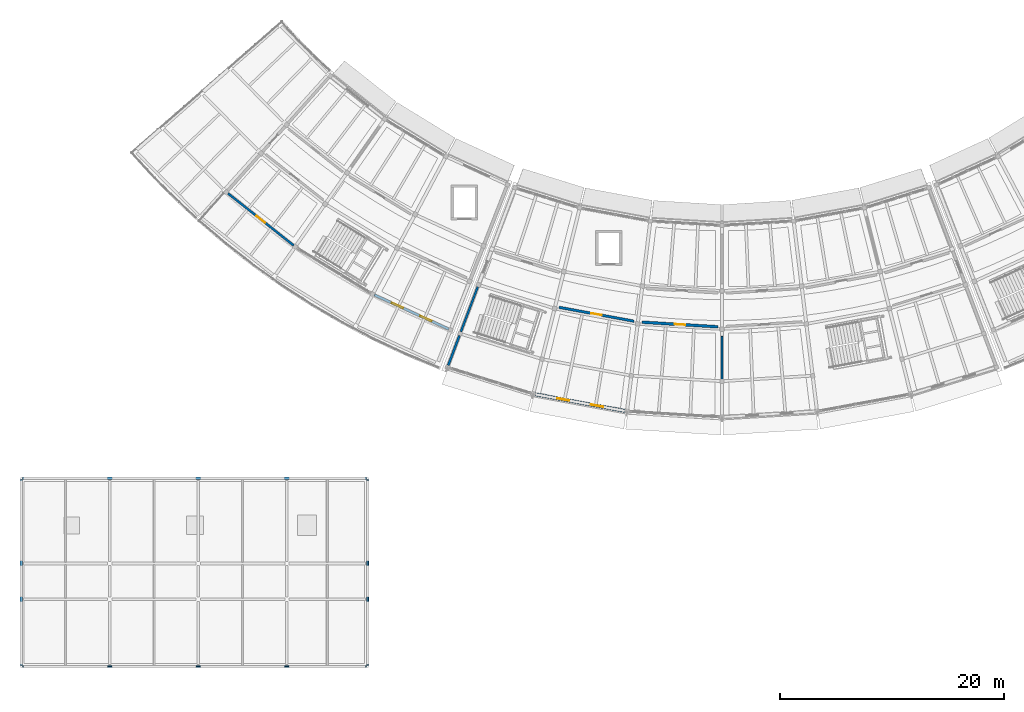
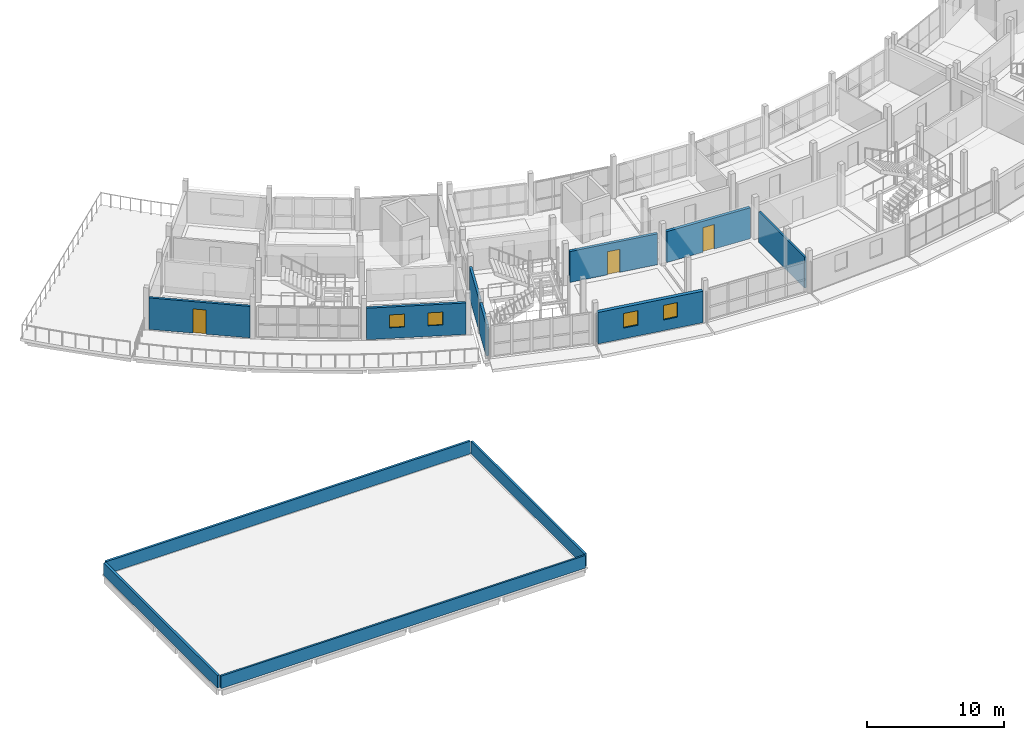
# One storey, part 25 of 36: 12 walls, 4 windows, 3 doors, 7 openings.
"""IFC4 building model written with IfcOpenShell, lengths in metres."""

from ifc_helpers import new_model, si_unit, direction, frame, frame_2d, origin, place, context, subcontext, project, spatial, rectangle, extrude, material, layer, layer_set, type_object, element, fill, save


model = new_model("IFC4")

# Units and contexts
model_context = context("Model", 3, precision=1e-05, world=origin(), true_north=direction((0.0, 1.0)))
body_context = subcontext(model_context, "Body", "Model", "MODEL_VIEW")
ifc_project = project(units=[si_unit("LENGTHUNIT", "METRE"), si_unit("AREAUNIT", "SQUARE_METRE"), si_unit("VOLUMEUNIT", "CUBIC_METRE"), si_unit("PLANEANGLEUNIT", "RADIAN"), si_unit("MASSUNIT", "GRAM", prefix="KILO")], contexts=[model_context])

# Site, building, storey
site_placement = place(None, origin())
site = spatial("IfcSite", under=ifc_project, at=site_placement, CompositionType="ELEMENT")
building_placement = place(site_placement, origin())
building = spatial("IfcBuilding", under=site, at=building_placement, Name="Caldaven Crescent School", CompositionType="ELEMENT")
storey_placement = place(building_placement, frame((0.0, 0.0, 11.89990234375)))
storey = spatial("IfcBuildingStorey", under=building, at=storey_placement, Name="L03", CompositionType="ELEMENT", Elevation=11.89990234375)

# Wall, opening, door
ifc_material_1 = material(Name="Precast concrete C35/45", Category="concrete")
ifc_layer_1 = layer(ifc_material_1, 0.19189453125)
ifc_layer_set_1 = layer_set([ifc_layer_1], Name="Precast concrete C35/45")
wall_type_1 = type_object("IfcWallType", Name="WAL-EW01", PredefinedType="STANDARD", material=ifc_layer_set_1)
wall_1_placement = place(storey_placement, frame((43.948974609375, 46.397216796875, 0.0), z_axis=(0.0, 0.0, 1.0), x_axis=(0.783891257523, -0.620898136879, 0.0)))
wall_1 = element("IfcWall", 1, at=wall_1_placement, inside=storey, type_object=wall_type_1, Name="EW-L03-196", PredefinedType="STANDARD", context=body_context, shape_type="SweptSolid", body=[
    extrude(rectangle(XDim=7.4638671875, YDim=0.19189453125, at=frame_2d((3.73193359375, 0.0))), origin(), (0.0, 0.0, 1.0), 2.800048828125),
])
opening_1_placement = place(wall_1_placement, frame((3.2568359375, 0.0, 0.0)))
opening_1 = element("IfcOpeningElement", 2, at=opening_1_placement, cuts=wall_1, Name="Opening D-L03-E032", PredefinedType="OPENING", context=body_context, shape_type="SweptSolid", body=[
    extrude(rectangle(XDim=0.949951171875, YDim=2.14990234375, at=frame_2d((0.47509765625, 1.074951171875))), frame((0.0, 0.10595703125, 0.0), z_axis=(0.0, -1.0, 0.0), x_axis=(1.0, 0.0, 0.0)), (0.0, 0.0, 1.0), 0.2119140625),
])
ifc_material_2 = material(Name="Thermally broken bronze-anodised aluminium and laminated safety glass", Category="aluminium")
door_type_1 = type_object("IfcDoorType", Name="DOR-EX01", OperationType="NOTDEFINED", PredefinedType="DOOR", material=ifc_material_2)
door_1_placement = place(opening_1_placement, frame((0.949951171875, 0.0, 0.0), z_axis=(0.0, 0.0, 1.0), x_axis=(-1.0, 0.0, 0.0)))
door_1 = element("IfcDoor", 3, at=door_1_placement, inside=storey, type_object=door_type_1, Name="DOR-EXT-L03-032", OperationType="SINGLE_SWING_LEFT", OverallHeight=2.14990234375, OverallWidth=0.949951171875, PredefinedType="DOOR", context=body_context, shape_type="SweptSolid", body=[
    extrude(rectangle(XDim=0.949951171875, YDim=2.14990234375, at=frame_2d((0.47509765625, 1.074951171875))), frame((0.0, 0.02490234375, 0.0), z_axis=(0.0, -1.0, 0.0), x_axis=(1.0, 0.0, 0.0)), (0.0, 0.0, 1.0), 0.050048828125),
])
fill(opening_1, door_1)

# Walls
wall_2_placement = place(storey_placement, frame((66.216064453125, 38.061767578125, 0.0), z_axis=(0.0, 0.0, 1.0), x_axis=(-0.351894221541, -0.936039773111, 0.0)))
element("IfcWall", 4, at=wall_2_placement, inside=storey, type_object=wall_type_1, Name="EW-L03-210", PredefinedType="STANDARD", context=body_context, shape_type="SweptSolid", body=[
    extrude(rectangle(XDim=4.268798828125, YDim=0.19189453125, at=frame_2d((2.13427734375, 0.0))), origin(), (0.0, 0.0, 1.0), 2.800048828125),
])
ifc_layer_2 = layer(ifc_material_1, 0.2041015625)
ifc_layer_set_2 = layer_set([ifc_layer_2], Name="Precast concrete C35/45")
wall_type_2 = type_object("IfcWallType", Name="WAL-EW02", PredefinedType="STANDARD", material=ifc_layer_set_2)
wall_3_placement = place(storey_placement, frame((64.5849609375, 33.723388671875, 0.0), z_axis=(0.0, 0.0, 1.0), x_axis=(-0.351925812761, -0.936027896119, 0.0)))
element("IfcWall", 5, at=wall_3_placement, inside=storey, type_object=wall_type_2, Name="EW-L03-211", PredefinedType="STANDARD", context=body_context, shape_type="SweptSolid", body=[
    extrude(rectangle(XDim=2.833984375, YDim=0.2041015625, at=frame_2d((1.4169921875, 0.0))), origin(), (0.0, 0.0, 1.0), 2.800048828125),
])

# Wall, openings, windows
ifc_layer_3 = layer(ifc_material_1, 0.216064453125)
ifc_layer_set_3 = layer_set([ifc_layer_3], Name="Precast concrete C35/45")
wall_type_3 = type_object("IfcWallType", Name="WAL-EW03", PredefinedType="STANDARD", material=ifc_layer_set_3)
wall_4_placement = place(storey_placement, frame((57.016845703125, 37.340087890625, 0.0), z_axis=(0.0, 0.0, 1.0), x_axis=(0.908522029841, -0.417836955396, 0.0)))
wall_4 = element("IfcWall", 6, at=wall_4_placement, inside=storey, type_object=wall_type_3, Name="EW-L03-198", PredefinedType="STANDARD", context=body_context, shape_type="SweptSolid", body=[
    extrude(rectangle(XDim=7.279052734375, YDim=0.216064453125, at=frame_2d((3.6396484375, 0.0))), origin(), (0.0, 0.0, 1.0), 2.800048828125),
])
opening_2_placement = place(wall_4_placement, frame((1.693115234375, 0.0, 0.949951171875)))
opening_2 = element("IfcOpeningElement", 7, at=opening_2_placement, cuts=wall_4, Name="Opening W01", PredefinedType="OPENING", context=body_context, shape_type="SweptSolid", body=[
    extrude(rectangle(XDim=1.10009765625, YDim=1.14990234375, at=frame_2d((0.550048828125, 0.574951171875))), frame((0.0, 0.117919921875, 0.0), z_axis=(0.0, -1.0, 0.0), x_axis=(1.0, 0.0, 0.0)), (0.0, 0.0, 1.0), 0.236083984375),
])
opening_3_placement = place(wall_4_placement, frame((4.486083984375, 0.0, 0.949951171875)))
opening_3 = element("IfcOpeningElement", 8, at=opening_3_placement, cuts=wall_4, Name="Opening W01", PredefinedType="OPENING", context=body_context, shape_type="SweptSolid", body=[
    extrude(rectangle(XDim=1.10009765625, YDim=1.14990234375, at=frame_2d((0.550048828125, 0.574951171875))), frame((0.0, 0.117919921875, 0.0), z_axis=(0.0, -1.0, 0.0), x_axis=(1.0, 0.0, 0.0)), (0.0, 0.0, 1.0), 0.236083984375),
])
ifc_material_3 = material(Name="Thermally broken anodised aluminium AA 6063-T6 and low-E double glazing", Category="aluminium")
window_type_1 = type_object("IfcWindowType", Name="WIN-W01", PartitioningType="SINGLE_PANEL", PredefinedType="WINDOW", material=ifc_material_3)
window_1_placement = place(opening_2_placement, origin())
window_1 = element("IfcWindow", 9, at=window_1_placement, inside=storey, type_object=window_type_1, Name="WIN-L03-096-1", OverallHeight=1.14990234375, OverallWidth=1.10009765625, PartitioningType="SINGLE_PANEL", PredefinedType="WINDOW", context=body_context, shape_type="SweptSolid", body=[
    extrude(rectangle(XDim=1.10009765625, YDim=1.14990234375, at=frame_2d((0.550048828125, 0.574951171875))), frame((0.0, 0.030029296875, 0.0), z_axis=(0.0, -1.0, 0.0), x_axis=(1.0, 0.0, 0.0)), (0.0, 0.0, 1.0), 0.06005859375),
])
fill(opening_2, window_1)
window_2_placement = place(opening_3_placement, origin())
window_2 = element("IfcWindow", 10, at=window_2_placement, inside=storey, type_object=window_type_1, Name="WIN-L03-096-2", OverallHeight=1.14990234375, OverallWidth=1.10009765625, PartitioningType="SINGLE_PANEL", PredefinedType="WINDOW", context=body_context, shape_type="SweptSolid", body=[
    extrude(rectangle(XDim=1.10009765625, YDim=1.14990234375, at=frame_2d((0.550048828125, 0.574951171875))), frame((0.0, 0.030029296875, 0.0), z_axis=(0.0, -1.0, 0.0), x_axis=(1.0, 0.0, 0.0)), (0.0, 0.0, 1.0), 0.06005859375),
])
fill(opening_3, window_2)

ifc_layer_4 = layer(ifc_material_1, 0.300048828125)
ifc_layer_set_4 = layer_set([ifc_layer_4], Name="Precast concrete C35/45")
wall_type_4 = type_object("IfcWallType", Name="WAL-EW10", PredefinedType="STANDARD", material=ifc_layer_set_4)
wall_5_placement = place(storey_placement, frame((71.354248046875, 28.482666015625, 0.0), z_axis=(0.0, 0.0, 1.0), x_axis=(0.98325170733, -0.182252791562, 0.0)))
wall_5 = element("IfcWall", 11, at=wall_5_placement, inside=storey, type_object=wall_type_4, Name="EW-L03-205", PredefinedType="STANDARD", context=body_context, shape_type="SweptSolid", body=[
    extrude(rectangle(XDim=8.125732421875, YDim=0.300048828125, at=frame_2d((4.06298828125, 0.0))), origin(), (0.0, 0.0, 1.0), 2.800048828125),
])
opening_4_placement = place(wall_5_placement, frame((1.975341796875, 0.0, 0.949951171875)))
opening_4 = element("IfcOpeningElement", 12, at=opening_4_placement, cuts=wall_5, Name="Opening W02", PredefinedType="OPENING", context=body_context, shape_type="SweptSolid", body=[
    extrude(rectangle(XDim=1.10009765625, YDim=1.300048828125, at=frame_2d((0.550048828125, 0.64990234375))), frame((0.0, 0.159912109375, 0.0), z_axis=(0.0, -1.0, 0.0), x_axis=(1.0, 0.0, 0.0)), (0.0, 0.0, 1.0), 0.320068359375),
])
opening_5_placement = place(wall_5_placement, frame((5.050537109375, 0.0, 0.949951171875)))
opening_5 = element("IfcOpeningElement", 13, at=opening_5_placement, cuts=wall_5, Name="Opening W02", PredefinedType="OPENING", context=body_context, shape_type="SweptSolid", body=[
    extrude(rectangle(XDim=1.10009765625, YDim=1.300048828125, at=frame_2d((0.550048828125, 0.64990234375))), frame((0.0, 0.159912109375, 0.0), z_axis=(0.0, -1.0, 0.0), x_axis=(1.0, 0.0, 0.0)), (0.0, 0.0, 1.0), 0.320068359375),
])
window_type_2 = type_object("IfcWindowType", Name="WIN-W02", PartitioningType="SINGLE_PANEL", PredefinedType="WINDOW", material=ifc_material_3)
window_3_placement = place(opening_4_placement, origin())
window_3 = element("IfcWindow", 14, at=window_3_placement, inside=storey, type_object=window_type_2, Name="WIN-L03-097-1", OverallHeight=1.300048828125, OverallWidth=1.10009765625, PartitioningType="SINGLE_PANEL", PredefinedType="WINDOW", context=body_context, shape_type="SweptSolid", body=[
    extrude(rectangle(XDim=1.10009765625, YDim=1.300048828125, at=frame_2d((0.550048828125, 0.64990234375))), frame((0.0, 0.030029296875, 0.0), z_axis=(0.0, -1.0, 0.0), x_axis=(1.0, 0.0, 0.0)), (0.0, 0.0, 1.0), 0.06005859375),
])
fill(opening_4, window_3)
window_4_placement = place(opening_5_placement, origin())
window_4 = element("IfcWindow", 15, at=window_4_placement, inside=storey, type_object=window_type_2, Name="WIN-L03-097-2", OverallHeight=1.300048828125, OverallWidth=1.10009765625, PartitioningType="SINGLE_PANEL", PredefinedType="WINDOW", context=body_context, shape_type="SweptSolid", body=[
    extrude(rectangle(XDim=1.10009765625, YDim=1.300048828125, at=frame_2d((0.550048828125, 0.64990234375))), frame((0.0, 0.030029296875, 0.0), z_axis=(0.0, -1.0, 0.0), x_axis=(1.0, 0.0, 0.0)), (0.0, 0.0, 1.0), 0.06005859375),
])
fill(opening_5, window_4)

# Wall, opening, door
ifc_material_4 = material(Name="Acoustic timber-stud and fire-rated gypsum board assembly", Category="wood")
ifc_layer_5 = layer(ifc_material_4, 0.22998046875)
ifc_layer_set_5 = layer_set([ifc_layer_5], Name="Acoustic timber-stud and fire-rated gypsum board assembly")
wall_type_5 = type_object("IfcWallType", Name="WAL-IW08", PredefinedType="STANDARD", material=ifc_layer_set_5)
wall_6_placement = place(storey_placement, frame((73.470947265625, 36.24169921875, 0.0), z_axis=(0.0, 0.0, 1.0), x_axis=(0.983257442509, -0.182221847619, 0.0)))
wall_6 = element("IfcWall", 16, at=wall_6_placement, inside=storey, type_object=wall_type_5, Name="IW-L03-0263", PredefinedType="STANDARD", context=body_context, shape_type="SweptSolid", body=[
    extrude(rectangle(XDim=6.79150390625, YDim=0.22998046875, at=frame_2d((3.395751953125, 0.0))), origin(), (0.0, 0.0, 1.0), 2.75),
])
opening_6_placement = place(wall_6_placement, frame((2.92578125, 0.0, 0.0)))
opening_6 = element("IfcOpeningElement", 17, at=opening_6_placement, cuts=wall_6, Name="Opening D-L03-I188", PredefinedType="OPENING", context=body_context, shape_type="SweptSolid", body=[
    extrude(rectangle(XDim=0.93994140625, YDim=2.06005859375, at=frame_2d((0.469970703125, 1.030029296875))), frame((0.0, 0.125, 0.0), z_axis=(0.0, -1.0, 0.0), x_axis=(1.0, 0.0, 0.0)), (0.0, 0.0, 1.0), 0.25),
])
ifc_material_5 = material(Name="Solid-core Pino Radiata acoustic timber leaf in steel frame", Category="steel")
door_type_2 = type_object("IfcDoorType", Name="DOR-ID09", OperationType="NOTDEFINED", PredefinedType="DOOR", material=ifc_material_5)
door_2_placement = place(opening_6_placement, origin())
door_2 = element("IfcDoor", 18, at=door_2_placement, inside=storey, type_object=door_type_2, Name="DOR-INT-L03-0188", OperationType="SINGLE_SWING_LEFT", OverallHeight=2.06005859375, OverallWidth=0.93994140625, PredefinedType="DOOR", context=body_context, shape_type="SweptSolid", body=[
    extrude(rectangle(XDim=0.93994140625, YDim=2.06005859375, at=frame_2d((0.469970703125, 1.030029296875))), frame((0.0, 0.02490234375, 0.0), z_axis=(0.0, -1.0, 0.0), x_axis=(1.0, 0.0, 0.0)), (0.0, 0.0, 1.0), 0.050048828125),
])
fill(opening_6, door_2)

ifc_layer_6 = layer(ifc_material_4, 0.25)
ifc_layer_set_6 = layer_set([ifc_layer_6], Name="Acoustic timber-stud and fire-rated gypsum board assembly")
wall_type_6 = type_object("IfcWallType", Name="WAL-IW10", PredefinedType="STANDARD", material=ifc_layer_set_6)
wall_7_placement = place(storey_placement, frame((80.86181640625, 34.91650390625, 0.0), z_axis=(0.0, 0.0, 1.0), x_axis=(0.998135326973, -0.061039897184, 0.0)))
wall_7 = element("IfcWall", 19, at=wall_7_placement, inside=storey, type_object=wall_type_6, Name="IW-L03-0265", PredefinedType="STANDARD", context=body_context, shape_type="SweptSolid", body=[
    extrude(rectangle(XDim=6.79150390625, YDim=0.25, at=frame_2d((3.395751953125, 0.0))), origin(), (0.0, 0.0, 1.0), 2.75),
])
opening_7_placement = place(wall_7_placement, frame((2.92578125, 0.0, 0.0)))
opening_7 = element("IfcOpeningElement", 20, at=opening_7_placement, cuts=wall_7, Name="Opening D-L03-I190", PredefinedType="OPENING", context=body_context, shape_type="SweptSolid", body=[
    extrude(rectangle(XDim=0.93994140625, YDim=2.179931640625, at=frame_2d((0.469970703125, 1.08984375))), frame((0.0, 0.135009765625, 0.0), z_axis=(0.0, -1.0, 0.0), x_axis=(1.0, 0.0, 0.0)), (0.0, 0.0, 1.0), 0.27001953125),
])
door_type_3 = type_object("IfcDoorType", Name="DOR-ID11", OperationType="NOTDEFINED", PredefinedType="DOOR", material=ifc_material_5)
door_3_placement = place(opening_7_placement, origin())
door_3 = element("IfcDoor", 21, at=door_3_placement, inside=storey, type_object=door_type_3, Name="DOR-INT-L03-0190", OperationType="SINGLE_SWING_LEFT", OverallHeight=2.179931640625, OverallWidth=0.93994140625, PredefinedType="DOOR", context=body_context, shape_type="SweptSolid", body=[
    extrude(rectangle(XDim=0.93994140625, YDim=2.179931640625, at=frame_2d((0.469970703125, 1.08984375))), frame((0.0, 0.02490234375, 0.0), z_axis=(0.0, -1.0, 0.0), x_axis=(1.0, 0.0, 0.0)), (0.0, 0.0, 1.0), 0.050048828125),
])
fill(opening_7, door_3)

# Walls
ifc_layer_7 = layer(ifc_material_1, 0.155029296875)
ifc_layer_set_7 = layer_set([ifc_layer_7], Name="Precast concrete C35/45")
wall_type_7 = type_object("IfcWallType", Name="WAL-PRP01", PredefinedType="PARAPET", material=ifc_layer_set_7)
wall_8_placement = place(storey_placement, frame((25.6201171875, 4.199951171875, 0.0), z_axis=(0.0, 0.0, 1.0), x_axis=(1.0, 0.0, 0.0)))
element("IfcWall", 22, at=wall_8_placement, inside=storey, type_object=wall_type_7, Name="PRP-V4S-L03-0", PredefinedType="PARAPET", context=body_context, shape_type="SweptSolid", body=[
    extrude(rectangle(XDim=30.659912109375, YDim=0.155029296875, at=frame_2d((15.330078125, 0.0))), origin(), (0.0, 0.0, 1.0), 1.1201171875),
])
ifc_layer_8 = layer(ifc_material_1, 0.169921875)
ifc_layer_set_8 = layer_set([ifc_layer_8], Name="Precast concrete C35/45")
wall_type_8 = type_object("IfcWallType", Name="WAL-PRP02", PredefinedType="PARAPET", material=ifc_layer_set_8)
wall_9_placement = place(storey_placement, frame((56.39990234375, 4.320068359375, 0.0), z_axis=(0.0, 0.0, 1.0), x_axis=(0.0, 1.0, 0.0)))
element("IfcWall", 23, at=wall_9_placement, inside=storey, type_object=wall_type_8, Name="PRP-V4S-L03-1", PredefinedType="PARAPET", context=body_context, shape_type="SweptSolid", body=[
    extrude(rectangle(XDim=16.559814453125, YDim=0.169921875, at=frame_2d((8.27978515625, 0.0))), origin(), (0.0, 0.0, 1.0), 1.1201171875),
])
ifc_layer_9 = layer(ifc_material_1, 0.18505859375)
ifc_layer_set_9 = layer_set([ifc_layer_9], Name="Precast concrete C35/45")
wall_type_9 = type_object("IfcWallType", Name="WAL-PRP03", PredefinedType="PARAPET", material=ifc_layer_set_9)
wall_10_placement = place(storey_placement, frame((56.280029296875, 21.0, 0.0), z_axis=(0.0, 0.0, 1.0), x_axis=(-1.0, 0.0, 0.0)))
element("IfcWall", 24, at=wall_10_placement, inside=storey, type_object=wall_type_9, Name="PRP-V4S-L03-2", PredefinedType="PARAPET", context=body_context, shape_type="SweptSolid", body=[
    extrude(rectangle(XDim=30.659912109375, YDim=0.18505859375, at=frame_2d((15.330078125, 0.0))), origin(), (0.0, 0.0, 1.0), 1.1201171875),
])
ifc_layer_10 = layer(ifc_material_1, 0.199951171875)
ifc_layer_set_10 = layer_set([ifc_layer_10], Name="Precast concrete C35/45")
wall_type_10 = type_object("IfcWallType", Name="WAL-PRP04", PredefinedType="PARAPET", material=ifc_layer_set_10)
wall_11_placement = place(storey_placement, frame((25.5, 20.8798828125, 0.0), z_axis=(0.0, 0.0, 1.0), x_axis=(0.0, -1.0, 0.0)))
element("IfcWall", 25, at=wall_11_placement, inside=storey, type_object=wall_type_10, Name="PRP-V4S-L03-3", PredefinedType="PARAPET", context=body_context, shape_type="SweptSolid", body=[
    extrude(rectangle(XDim=16.559814453125, YDim=0.199951171875, at=frame_2d((8.27978515625, 0.0))), origin(), (0.0, 0.0, 1.0), 1.1201171875),
])
ifc_material_6 = material(Name="Acoustic double-layer gypsum partition on galvanised steel studs", Category="steel")
ifc_layer_11 = layer(ifc_material_6, 0.1640625)
ifc_layer_set_11 = layer_set([ifc_layer_11], Name="Acoustic double-layer gypsum partition on galvanised steel studs")
wall_type_11 = type_object("IfcWallType", Name="WAL-PT14", PredefinedType="PARTITIONING", material=ifc_layer_set_11)
wall_12_placement = place(storey_placement, frame((88.0, 33.64990234375, 0.0), z_axis=(0.0, 0.0, 1.0), x_axis=(0.0, -1.0, 0.0)))
element("IfcWall", 26, at=wall_12_placement, inside=storey, type_object=wall_type_11, Name="IW-L03-0269", PredefinedType="PARTITIONING", context=body_context, shape_type="SweptSolid", body=[
    extrude(rectangle(XDim=6.699951171875, YDim=0.1640625, at=frame_2d((3.35009765625, 0.0))), origin(), (0.0, 0.0, 1.0), 2.75),
])

save(model, "model.ifc")
